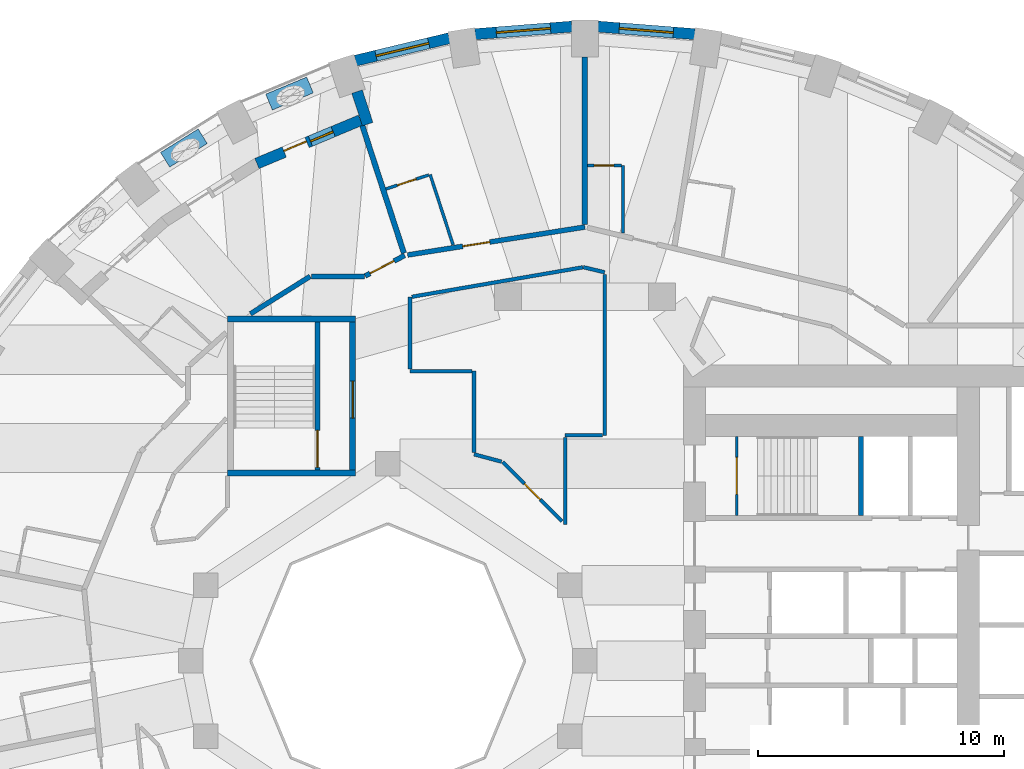
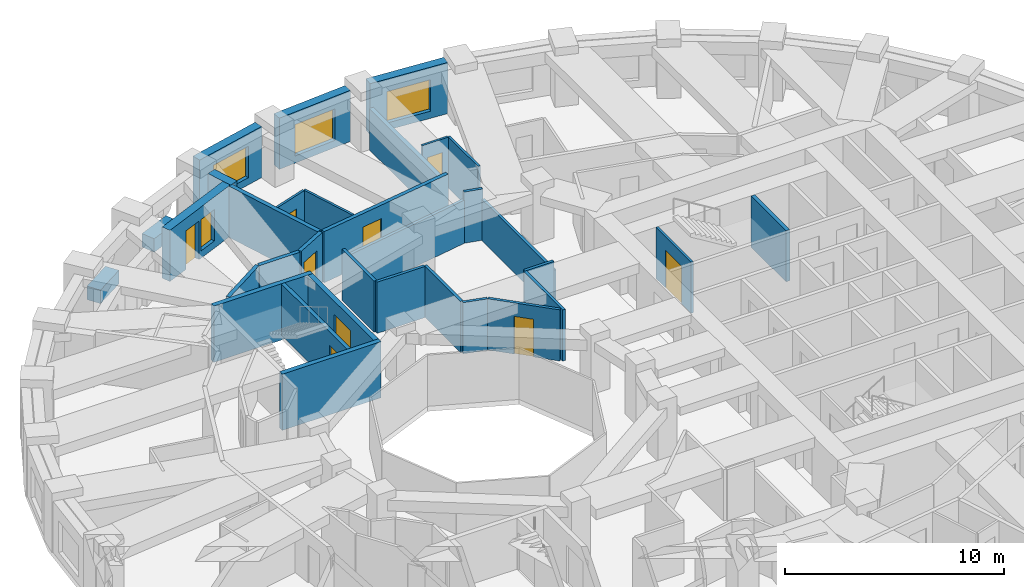
# One storey, part 8 of 13: 33 walls, 9 doors, 4 windows, 13 openings.
"""IFC4 building model written with IfcOpenShell, lengths in metres."""

import ifcopenshell
import ifcopenshell.guid

model = None  # the IFC model being written
_history = None  # IfcOwnerHistory: only IFC2X3 demands one
_inside = {}  # id of a spatial element -> (the spatial element, [elements in it])
_under = {}  # id of a project, library or spatial element -> (it, [spatial elements below it])
_declared = {}  # id of a project -> (the project, [libraries it declares])
_typed = {}  # id of a type object -> (the type object, [elements of that type])
_made_of = {}  # id of a material, layer set ... -> (it, [elements and type objects made of it])


def new_model(schema):
    """Start an empty IFC model of exactly this schema.

    Asked for "IFC4X3", IfcOpenShell would pick the latest addendum, in which some entities
    have other attributes; the version numbers below select the first issue.
    IFC2X3 requires an IfcOwnerHistory on every rooted entity: one is made here for all.
    """
    global model, _history
    if schema == "IFC4X3":
        model = ifcopenshell.file(schema_version=(4, 3, 0, 0))
    else:
        model = ifcopenshell.file(schema=schema)
    _inside.clear()
    _under.clear()
    _declared.clear()
    _typed.clear()
    _made_of.clear()
    _history = None
    if model.schema == "IFC2X3":
        org = make("IfcOrganization", Name="unknown")
        user = make(
            "IfcPersonAndOrganization",
            ThePerson=make("IfcPerson", FamilyName="unknown"),
            TheOrganization=org,
        )
        app = make(
            "IfcApplication",
            ApplicationDeveloper=org,
            Version="unknown",
            ApplicationFullName="unknown",
            ApplicationIdentifier="unknown",
        )
        _history = make(
            "IfcOwnerHistory",
            OwningUser=user,
            OwningApplication=app,
            ChangeAction="ADDED",
            CreationDate=0,
        )
    return model


def make(cls, **values):
    """One entity of the class cls with the attributes given. An attribute that is None is left unset."""
    return model.create_entity(
        cls, **{name: value for name, value in values.items() if value is not None}
    )


def rooted(cls, **values):
    """An entity with a GlobalId (a new one), such as an element, a storey or a relation."""
    return make(cls, GlobalId=ifcopenshell.guid.new(), OwnerHistory=_history, **values)


def si_unit(unit_type, name, prefix=None):
    """IfcSIUnit, for example si_unit("LENGTHUNIT", "METRE", prefix="MILLI")."""
    return make("IfcSIUnit", UnitType=unit_type, Prefix=prefix, Name=name)


def assignment(units):
    """IfcUnitAssignment: the units of a project."""
    return None if units is None else make("IfcUnitAssignment", Units=units)


def point(xyz):
    """IfcCartesianPoint."""
    return None if xyz is None else make("IfcCartesianPoint", Coordinates=xyz)


def direction(xyz):
    """IfcDirection."""
    return None if xyz is None else make("IfcDirection", DirectionRatios=xyz)


def frame(location, z_axis=None, x_axis=None):
    """IfcAxis2Placement3D, a coordinate frame: its origin and axes. An axis left out is left unset."""
    return make(
        "IfcAxis2Placement3D",
        Location=point(location),
        Axis=direction(z_axis),
        RefDirection=direction(x_axis),
    )


def frame_2d(location, x_axis=None):
    """IfcAxis2Placement2D, a coordinate frame in the plane: its origin and x axis."""
    return make(
        "IfcAxis2Placement2D", Location=point(location), RefDirection=direction(x_axis)
    )


def origin():
    """The frame at (0, 0, 0) with its axes left unset."""
    return frame((0.0, 0.0, 0.0))


def place(relative_to, where):
    """IfcLocalPlacement: puts the frame where relative to a parent placement (None: the world)."""
    return make(
        "IfcLocalPlacement", PlacementRelTo=relative_to, RelativePlacement=where
    )


def context(
    kind, dimensions, precision=None, world=None, true_north=None, identifier=None
):
    """IfcGeometricRepresentationContext, for example the 3D "Model" context."""
    return make(
        "IfcGeometricRepresentationContext",
        ContextIdentifier=identifier,
        ContextType=kind,
        CoordinateSpaceDimension=dimensions,
        Precision=precision,
        WorldCoordinateSystem=world,
        TrueNorth=true_north,
    )


def subcontext(parent, identifier, kind, view, scale=None):
    """IfcGeometricRepresentationSubContext, for example "Body" below "Model"."""
    return make(
        "IfcGeometricRepresentationSubContext",
        ContextIdentifier=identifier,
        ContextType=kind,
        ParentContext=parent,
        TargetScale=scale,
        TargetView=view,
    )


def project(units=None, contexts=None):
    """IfcProject with its units and contexts."""
    return rooted(
        "IfcProject",
        Name="project",
        RepresentationContexts=contexts,
        UnitsInContext=assignment(units),
    )


def spatial(cls, under=None, at=None, **own):
    """A site, building, storey or space (cls), placed at a placement, below another one or the project."""
    s = rooted(cls, ObjectPlacement=at, **own)
    if under is not None:
        _under.setdefault(under.id(), (under, []))[1].append(s)
    return s


def profile(cls, at=None, kind="AREA", **sizes):
    """A parametric profile (cls). Its sizes go by their IFC names, for example OverallWidth=200.0."""
    return make(cls, ProfileType=kind, Position=at, **sizes)


def rectangle(**sizes):
    """IfcRectangleProfileDef."""
    return profile("IfcRectangleProfileDef", **sizes)


def extrude(swept, where, along, depth):
    """IfcExtrudedAreaSolid: the profile swept, set in the frame where, extruded along a direction by depth."""
    return make(
        "IfcExtrudedAreaSolid",
        SweptArea=swept,
        Position=where,
        ExtrudedDirection=direction(along),
        Depth=depth,
    )


def shape(context_of_items, identifier, shape_type, items):
    """IfcShapeRepresentation: the items that make up one representation, for example the "Body"."""
    return make(
        "IfcShapeRepresentation",
        ContextOfItems=context_of_items,
        RepresentationIdentifier=identifier,
        RepresentationType=shape_type,
        Items=items,
    )


def material(Name=None, Category=None):
    """IfcMaterial."""
    return make("IfcMaterial", Name=Name, Category=Category)


def layer(
    of_material, thickness, ventilated=None, Name=None, Category=None, Priority=None
):
    """IfcMaterialLayer: one layer of a wall or slab, of a material (None: an air gap)."""
    return make(
        "IfcMaterialLayer",
        Material=of_material,
        LayerThickness=thickness,
        IsVentilated=ventilated,
        Name=Name,
        Category=Category,
        Priority=Priority,
    )


def layer_set(layers, Name=None):
    """IfcMaterialLayerSet."""
    return make("IfcMaterialLayerSet", MaterialLayers=layers, LayerSetName=Name)


def constituent(of_material, Name=None, Category=None, fraction=None):
    """IfcMaterialConstituent: one of the materials an element consists of."""
    return make(
        "IfcMaterialConstituent",
        Name=Name,
        Material=of_material,
        Fraction=fraction,
        Category=Category,
    )


def constituent_set(constituents=None, Name=None):
    """IfcMaterialConstituentSet."""
    return make(
        "IfcMaterialConstituentSet", Name=Name, MaterialConstituents=constituents
    )


def made_of(thing, what):
    """Note that an element or type object is made of a material, layer set ...; save() writes the relation."""
    if what is not None:
        _made_of.setdefault(what.id(), (what, []))[1].append(thing)
    return thing


def type_object(cls, material=None, **own):
    """A type object (cls), such as IfcWallType, which elements share."""
    return made_of(rooted(cls, **own), material)


def element(
    cls,
    number,
    at=None,
    inside=None,
    cuts=None,
    type_object=None,
    material=None,
    context=None,
    identifier="Body",
    shape_type=None,
    held_by="IfcProductDefinitionShape",
    body=None,
    shapes=None,
    **own,
):
    """One element of the class cls, such as IfcWall. Its Tag is "e" and its number.

    at: its placement. inside: the storey or other place that contains it. cuts: it is an
    opening in that element (IfcRelVoidsElement). A single representation is given by context,
    identifier, shape_type and body (its items); several are given by shapes. held_by: the class
    of the entity that holds the representations. save() writes the other relations.
    """
    e = rooted(cls, Tag="e%d" % number, ObjectPlacement=at, **own)
    if body is not None:
        shapes = [shape(context, identifier, shape_type, body)]
    if shapes is not None:
        e.Representation = make(held_by, Representations=shapes)
    if inside is not None:
        _inside.setdefault(inside.id(), (inside, []))[1].append(e)
    if cuts is not None:
        rooted(
            "IfcRelVoidsElement", RelatingBuildingElement=cuts, RelatedOpeningElement=e
        )
    if type_object is not None:
        _typed.setdefault(type_object.id(), (type_object, []))[1].append(e)
    return made_of(e, material)


def fill(opening, filler):
    """IfcRelFillsElement: the door or window that sits in an opening."""
    return rooted(
        "IfcRelFillsElement",
        RelatingOpeningElement=opening,
        RelatedBuildingElement=filler,
    )


def aggregate(whole, parts):
    """IfcRelAggregates: a whole, such as a stair, and the parts it consists of."""
    return rooted("IfcRelAggregates", RelatingObject=whole, RelatedObjects=parts)


def save(model, path):
    """Write the relations noted so far, then the file.

    IfcRelAggregates (storeys below a building ...), IfcRelContainedInSpatialStructure (elements
    in a storey), IfcRelDefinesByType, IfcRelAssociatesMaterial and IfcRelDeclares: one each for
    every whole, place, type object, material and project.
    """
    for whole, parts in _under.values():
        aggregate(whole, parts)
    for where, things in _inside.values():
        rooted(
            "IfcRelContainedInSpatialStructure",
            RelatedElements=things,
            RelatingStructure=where,
        )
    for kind, things in _typed.values():
        rooted("IfcRelDefinesByType", RelatedObjects=things, RelatingType=kind)
    for what, things in _made_of.values():
        rooted("IfcRelAssociatesMaterial", RelatedObjects=things, RelatingMaterial=what)
    for by, libraries in _declared.values():
        rooted("IfcRelDeclares", RelatingContext=by, RelatedDefinitions=libraries)
    model.write(path)


model = new_model("IFC4")

# Units and contexts
model_context = context("Model", 3, precision=1e-05, world=origin(), true_north=direction((0.0, 1.0)))
body_context = subcontext(model_context, "Body", "Model", "MODEL_VIEW")
ifc_project = project(units=[si_unit("LENGTHUNIT", "METRE"), si_unit("AREAUNIT", "SQUARE_METRE"), si_unit("VOLUMEUNIT", "CUBIC_METRE"), si_unit("PLANEANGLEUNIT", "RADIAN"), si_unit("MASSUNIT", "GRAM", prefix="KILO")], contexts=[model_context])

# Site, building, storey
site_placement = place(None, origin())
site = spatial("IfcSite", under=ifc_project, at=site_placement, CompositionType="ELEMENT")
building_placement = place(site_placement, origin())
building = spatial("IfcBuilding", under=site, at=building_placement, Name="Taillehof Tower", CompositionType="ELEMENT")
storey_placement = place(building_placement, frame((0.0, 0.0, 81.10009765625)))
storey = spatial("IfcBuildingStorey", under=building, at=storey_placement, Name="L22", CompositionType="ELEMENT", Elevation=81.10009765625)

# Wall, opening, window
ifc_material_1 = material(Name="Brick masonry", Category="masonry")
ifc_layer_1 = layer(ifc_material_1, 0.449951171875)
ifc_layer_set_1 = layer_set([ifc_layer_1], Name="Brick infill wall 450")
wall_type_1 = type_object("IfcWallType", Name="Brick infill wall 450", PredefinedType="SOLIDWALL", material=ifc_layer_set_1)
wall_1_placement = place(storey_placement, frame((4.457275390625, 25.42578125, 0.0), z_axis=(0.0, 0.0, 1.0), x_axis=(-0.996955972145, 0.077966592873, 0.0)))
wall_1 = element("IfcWall", 1, at=wall_1_placement, inside=storey, type_object=wall_type_1, Name="Brick wall L22 bay 9", PredefinedType="SOLIDWALL", context=body_context, shape_type="SweptSolid", body=[
    extrude(rectangle(XDim=3.939208984375, YDim=0.449951171875, at=frame_2d((1.9697265625, 0.0))), origin(), (0.0, 0.0, 1.0), 2.849853515625),
])
opening_1_placement = place(wall_1_placement, frame((0.86962890625, 0.0, 0.39990234375)))
opening_1 = element("IfcOpeningElement", 2, at=opening_1_placement, cuts=wall_1, Name="Opening W1", PredefinedType="OPENING", context=body_context, shape_type="SweptSolid", body=[
    extrude(rectangle(XDim=2.199951171875, YDim=1.75, at=frame_2d((1.10009765625, 0.875))), frame((0.0, 0.23486328125, 0.0), z_axis=(0.0, -1.0, 0.0), x_axis=(1.0, 0.0, 0.0)), (0.0, 0.0, 1.0), 0.469970703125),
])
ifc_material_2 = material(Name="Aluminium window frame with clear double glazing", Category="aluminium")
window_type_1 = type_object("IfcWindowType", Name="Deep-set window 2200x1750", PartitioningType="SINGLE_PANEL", PredefinedType="WINDOW", material=ifc_material_2)
window_1_placement = place(opening_1_placement, origin())
window_1 = element("IfcWindow", 3, at=window_1_placement, inside=storey, type_object=window_type_1, Name="W1", OverallHeight=1.75, OverallWidth=2.199951171875, PartitioningType="SINGLE_PANEL", PredefinedType="WINDOW", context=body_context, shape_type="SweptSolid", body=[
    extrude(rectangle(XDim=2.199951171875, YDim=1.75, at=frame_2d((1.10009765625, 0.875))), frame((0.0, 0.034912109375, 0.0), z_axis=(0.0, -1.0, 0.0), x_axis=(1.0, 0.0, 0.0)), (0.0, 0.0, 1.0), 0.06005859375),
])
fill(opening_1, window_1)

wall_2_placement = place(storey_placement, frame((-0.530029296875, 25.73291015625, 0.0), z_axis=(0.0, 0.0, 1.0), x_axis=(-0.996955972145, -0.077966592873, 0.0)))
wall_2 = element("IfcWall", 4, at=wall_2_placement, inside=storey, type_object=wall_type_1, Name="Brick wall L22 bay 10", PredefinedType="SOLIDWALL", context=body_context, shape_type="SweptSolid", body=[
    extrude(rectangle(XDim=3.939208984375, YDim=0.449951171875, at=frame_2d((1.9697265625, 0.0))), origin(), (0.0, 0.0, 1.0), 2.849853515625),
])
opening_2_placement = place(wall_2_placement, frame((0.86962890625, 0.0, 0.39990234375)))
opening_2 = element("IfcOpeningElement", 5, at=opening_2_placement, cuts=wall_2, Name="Opening W1", PredefinedType="OPENING", context=body_context, shape_type="SweptSolid", body=[
    extrude(rectangle(XDim=2.199951171875, YDim=1.75, at=frame_2d((1.10009765625, 0.875))), frame((0.0, 0.23486328125, 0.0), z_axis=(0.0, -1.0, 0.0), x_axis=(1.0, 0.0, 0.0)), (0.0, 0.0, 1.0), 0.469970703125),
])
window_2_placement = place(opening_2_placement, origin())
window_2 = element("IfcWindow", 6, at=window_2_placement, inside=storey, type_object=window_type_1, Name="W1", OverallHeight=1.75, OverallWidth=2.199951171875, PartitioningType="SINGLE_PANEL", PredefinedType="WINDOW", context=body_context, shape_type="SweptSolid", body=[
    extrude(rectangle(XDim=2.199951171875, YDim=1.75, at=frame_2d((1.10009765625, 0.875))), frame((0.0, 0.034912109375, 0.0), z_axis=(0.0, -1.0, 0.0), x_axis=(1.0, 0.0, 0.0)), (0.0, 0.0, 1.0), 0.06005859375),
])
fill(opening_2, window_2)

wall_3_placement = place(storey_placement, frame((-5.50439453125, 25.260498046875, 0.0), z_axis=(0.0, 0.0, 1.0), x_axis=(-0.972496561493, -0.232917233979, 0.0)))
wall_3 = element("IfcWall", 7, at=wall_3_placement, inside=storey, type_object=wall_type_1, Name="Brick wall L22 bay 11", PredefinedType="SOLIDWALL", context=body_context, shape_type="SweptSolid", body=[
    extrude(rectangle(XDim=3.910888671875, YDim=0.449951171875, at=frame_2d((1.95556640625, 0.0))), origin(), (0.0, 0.0, 1.0), 2.849853515625),
])
opening_3_placement = place(wall_3_placement, frame((0.855224609375, 0.0, 0.39990234375)))
opening_3 = element("IfcOpeningElement", 8, at=opening_3_placement, cuts=wall_3, Name="Opening W1", PredefinedType="OPENING", context=body_context, shape_type="SweptSolid", body=[
    extrude(rectangle(XDim=2.199951171875, YDim=1.75, at=frame_2d((1.10009765625, 0.875))), frame((0.0, 0.23486328125, 0.0), z_axis=(0.0, -1.0, 0.0), x_axis=(1.0, 0.0, 0.0)), (0.0, 0.0, 1.0), 0.469970703125),
])
window_3_placement = place(opening_3_placement, origin())
window_3 = element("IfcWindow", 9, at=window_3_placement, inside=storey, type_object=window_type_1, Name="W1", OverallHeight=1.75, OverallWidth=2.199951171875, PartitioningType="SINGLE_PANEL", PredefinedType="WINDOW", context=body_context, shape_type="SweptSolid", body=[
    extrude(rectangle(XDim=2.199951171875, YDim=1.75, at=frame_2d((1.10009765625, 0.875))), frame((0.0, 0.034912109375, 0.0), z_axis=(0.0, -1.0, 0.0), x_axis=(1.0, 0.0, 0.0)), (0.0, 0.0, 1.0), 0.06005859375),
])
fill(opening_3, window_3)

# Wall
wall_4_placement = place(storey_placement, frame((-9.24560546875, 23.09521484375, 0.0), z_axis=(0.0, 0.0, 1.0), x_axis=(0.310110311429, -0.950700581017, 0.0)))
element("IfcWall", 10, at=wall_4_placement, inside=storey, type_object=wall_type_1, Name="Brick reveal L22 pocket 3", PredefinedType="SOLIDWALL", context=body_context, shape_type="SweptSolid", body=[
    extrude(rectangle(XDim=1.390380859375, YDim=0.449951171875, at=frame_2d((0.6953125, 0.0))), origin(), (0.0, 0.0, 1.0), 2.849853515625),
])

# Wall, openings, door, window
wall_5_placement = place(storey_placement, frame((-9.10400390625, 21.935791015625, 0.0), z_axis=(0.0, 0.0, 1.0), x_axis=(-0.922645368502, -0.385649483317, 0.0)))
wall_5 = element("IfcWall", 11, at=wall_5_placement, inside=storey, type_object=wall_type_1, Name="Brick wall L22 pocket bay 12", PredefinedType="SOLIDWALL", context=body_context, shape_type="SweptSolid", body=[
    extrude(rectangle(XDim=4.55859375, YDim=0.449951171875, at=frame_2d((2.279296875, 0.0))), origin(), (0.0, 0.0, 1.0), 2.849853515625),
])
opening_4_placement = place(wall_5_placement, frame((1.204345703125, 0.0, 0.39990234375)))
opening_4 = element("IfcOpeningElement", 12, at=opening_4_placement, cuts=wall_5, Name="Opening W5", PredefinedType="OPENING", context=body_context, shape_type="SweptSolid", body=[
    extrude(rectangle(XDim=1.0, YDim=1.75, at=frame_2d((0.5, 0.875))), frame((0.0, 0.23486328125, 0.0), z_axis=(0.0, -1.0, 0.0), x_axis=(1.0, 0.0, 0.0)), (0.0, 0.0, 1.0), 0.469970703125),
])
opening_5_placement = place(wall_5_placement, frame((2.354248046875, 0.0, 0.0)))
opening_5 = element("IfcOpeningElement", 13, at=opening_5_placement, cuts=wall_5, Name="Opening D2291", PredefinedType="OPENING", context=body_context, shape_type="SweptSolid", body=[
    extrude(rectangle(XDim=1.0, YDim=2.14990234375, at=frame_2d((0.5, 1.074951171875))), frame((0.0, 0.23486328125, 0.0), z_axis=(0.0, -1.0, 0.0), x_axis=(1.0, 0.0, 0.0)), (0.0, 0.0, 1.0), 0.469970703125),
])
ifc_material_3 = material(Name="Aluminium door frame with clear double glazing", Category="aluminium")
door_type_1 = type_object("IfcDoorType", Name="Balcony door 1000x2150", OperationType="SINGLE_SWING_RIGHT", PredefinedType="DOOR", material=ifc_material_3)
door_1_placement = place(opening_5_placement, frame((1.0, 0.0, 0.0), z_axis=(0.0, 0.0, 1.0), x_axis=(-1.0, 0.0, 0.0)))
door_1 = element("IfcDoor", 14, at=door_1_placement, inside=storey, type_object=door_type_1, Name="Balcony door L22 bay 12", OperationType="SINGLE_SWING_RIGHT", OverallHeight=2.14990234375, OverallWidth=1.0, PredefinedType="DOOR", context=body_context, shape_type="SweptSolid", body=[
    extrude(rectangle(XDim=1.0, YDim=2.14990234375, at=frame_2d((0.5, 1.074951171875))), frame((0.0, 0.0751953125, 0.0), z_axis=(0.0, -1.0, 0.0), x_axis=(1.0, 0.0, 0.0)), (0.0, 0.0, 1.0), 0.050048828125),
])
fill(opening_5, door_1)
ifc_material_4 = material(Name="Aluminium window frame with clear double glazing", Category="aluminium")
window_type_2 = type_object("IfcWindowType", Name="Fixed window 1000x1750", PartitioningType="SINGLE_PANEL", PredefinedType="WINDOW", material=ifc_material_4)
window_4_placement = place(opening_4_placement, origin())
window_4 = element("IfcWindow", 15, at=window_4_placement, inside=storey, type_object=window_type_2, Name="W5", OverallHeight=1.75, OverallWidth=1.0, PartitioningType="SINGLE_PANEL", PredefinedType="WINDOW", context=body_context, shape_type="SweptSolid", body=[
    extrude(rectangle(XDim=1.0, YDim=1.75, at=frame_2d((0.5, 0.875))), frame((0.0, 0.034912109375, 0.0), z_axis=(0.0, -1.0, 0.0), x_axis=(1.0, 0.0, 0.0)), (0.0, 0.0, 1.0), 0.06005859375),
])
fill(opening_4, window_4)

# Walls
ifc_material_5 = material(Name="Gypsum board on steel studs, two layers each side", Category="steel")
ifc_layer_2 = layer(ifc_material_5, 0.199951171875)
ifc_layer_set_2 = layer_set([ifc_layer_2], Name="Compartment wall corridor 200")
wall_type_2 = type_object("IfcWallType", Name="Compartment wall corridor 200", PredefinedType="PARTITIONING", material=ifc_layer_set_2)
wall_6_placement = place(storey_placement, frame((-13.57080078125, 14.077392578125, 0.0), z_axis=(0.0, 0.0, 1.0), x_axis=(0.84693819774, 0.53169134769, 0.0)))
element("IfcWall", 16, at=wall_6_placement, inside=storey, type_object=wall_type_2, Name="Compartment wall", PredefinedType="PARTITIONING", context=body_context, shape_type="SweptSolid", body=[
    extrude(rectangle(XDim=2.86376953125, YDim=0.199951171875, at=frame_2d((1.431884765625, 0.0))), origin(), (0.0, 0.0, 1.0), 2.849853515625),
])
wall_7_placement = place(storey_placement, frame((-11.085205078125, 15.60009765625, 0.0), z_axis=(0.0, 0.0, 1.0), x_axis=(1.0, 0.0, 0.0)))
element("IfcWall", 17, at=wall_7_placement, inside=storey, type_object=wall_type_2, Name="Compartment wall", PredefinedType="PARTITIONING", context=body_context, shape_type="SweptSolid", body=[
    extrude(rectangle(XDim=2.13330078125, YDim=0.199951171875, at=frame_2d((1.066650390625, 0.0))), origin(), (0.0, 0.0, 1.0), 2.849853515625),
])

# Wall, opening, door
wall_8_placement = place(storey_placement, frame((-8.916259765625, 15.61865234375, 0.0), z_axis=(0.0, 0.0, 1.0), x_axis=(0.88856195521, 0.458756636741, 0.0)))
wall_8 = element("IfcWall", 18, at=wall_8_placement, inside=storey, type_object=wall_type_2, Name="Compartment wall", PredefinedType="PARTITIONING", context=body_context, shape_type="SweptSolid", body=[
    extrude(rectangle(XDim=1.8046875, YDim=0.199951171875, at=frame_2d((0.90234375, 0.0))), origin(), (0.0, 0.0, 1.0), 2.849853515625),
])
opening_6_placement = place(wall_8_placement, frame((0.219970703125, 0.0, 0.0)))
opening_6 = element("IfcOpeningElement", 19, at=opening_6_placement, cuts=wall_8, Name="Opening D2246", PredefinedType="OPENING", context=body_context, shape_type="SweptSolid", body=[
    extrude(rectangle(XDim=1.10009765625, YDim=2.10009765625, at=frame_2d((0.550048828125, 1.050048828125))), frame((0.0, 0.10986328125, 0.0), z_axis=(0.0, -1.0, 0.0), x_axis=(1.0, 0.0, 0.0)), (0.0, 0.0, 1.0), 0.219970703125),
])
ifc_material_6 = material(Name="Timber door leaf in steel frame", Category="steel")
door_type_2 = type_object("IfcDoorType", Name="Suite entrance door EI 30 1100 x 2100", OperationType="SINGLE_SWING_LEFT", PredefinedType="DOOR", material=ifc_material_6)
door_2_placement = place(opening_6_placement, origin())
door_2 = element("IfcDoor", 20, at=door_2_placement, inside=storey, type_object=door_type_2, Name="D2246", OperationType="SINGLE_SWING_LEFT", OverallHeight=2.10009765625, OverallWidth=1.10009765625, PredefinedType="DOOR", context=body_context, shape_type="SweptSolid", body=[
    extrude(rectangle(XDim=1.10009765625, YDim=2.10009765625, at=frame_2d((0.550048828125, 1.050048828125))), frame((0.0, 0.02490234375, 0.0), z_axis=(0.0, -1.0, 0.0), x_axis=(1.0, 0.0, 0.0)), (0.0, 0.0, 1.0), 0.050048828125),
])
fill(opening_6, door_2)

wall_9_placement = place(storey_placement, frame((-7.194091796875, 16.465576171875, 0.0), z_axis=(0.0, 0.0, 1.0), x_axis=(0.987792302219, 0.155776659599, 0.0)))
wall_9 = element("IfcWall", 21, at=wall_9_placement, inside=storey, type_object=wall_type_2, Name="Compartment wall", PredefinedType="PARTITIONING", context=body_context, shape_type="SweptSolid", body=[
    extrude(rectangle(XDim=7.282958984375, YDim=0.199951171875, at=frame_2d((3.6416015625, 0.0))), origin(), (0.0, 0.0, 1.0), 2.849853515625),
])
opening_7_placement = place(wall_9_placement, frame((2.26953125, 0.0, 0.0)))
opening_7 = element("IfcOpeningElement", 22, at=opening_7_placement, cuts=wall_9, Name="Opening D2244", PredefinedType="OPENING", context=body_context, shape_type="SweptSolid", body=[
    extrude(rectangle(XDim=1.10009765625, YDim=2.10009765625, at=frame_2d((0.550048828125, 1.050048828125))), frame((0.0, 0.10986328125, 0.0), z_axis=(0.0, -1.0, 0.0), x_axis=(1.0, 0.0, 0.0)), (0.0, 0.0, 1.0), 0.219970703125),
])
door_3_placement = place(opening_7_placement, origin())
door_3 = element("IfcDoor", 23, at=door_3_placement, inside=storey, type_object=door_type_2, Name="D2244", OperationType="SINGLE_SWING_LEFT", OverallHeight=2.10009765625, OverallWidth=1.10009765625, PredefinedType="DOOR", context=body_context, shape_type="SweptSolid", body=[
    extrude(rectangle(XDim=1.10009765625, YDim=2.10009765625, at=frame_2d((0.550048828125, 1.050048828125))), frame((0.0, 0.02490234375, 0.0), z_axis=(0.0, -1.0, 0.0), x_axis=(1.0, 0.0, 0.0)), (0.0, 0.0, 1.0), 0.050048828125),
])
fill(opening_7, door_3)

# Walls
ifc_material_7 = material(Name="Gypsum board on double steel studs with mineral wool", Category="steel")
ifc_layer_3 = layer(ifc_material_7, 0.219970703125)
ifc_layer_set_3 = layer_set([ifc_layer_3], Name="Compartment wall guest room 220")
wall_type_3 = type_object("IfcWallType", Name="Compartment wall guest room 220", PredefinedType="PARTITIONING", material=ifc_layer_set_3)
wall_10_placement = place(storey_placement, frame((0.0, 24.5, 0.0), z_axis=(0.0, 0.0, 1.0), x_axis=(0.0, -1.0, 0.0)))
element("IfcWall", 24, at=wall_10_placement, inside=storey, type_object=wall_type_3, Name="Compartment wall", PredefinedType="PARTITIONING", context=body_context, shape_type="SweptSolid", body=[
    extrude(rectangle(XDim=6.7998046875, YDim=0.219970703125, at=frame_2d((3.39990234375, 0.0))), origin(), (0.0, 0.0, 1.0), 2.2998046875),
])
wall_11_placement = place(storey_placement, frame((-9.033935546875, 21.72119140625, 0.0), z_axis=(0.0, 0.0, 1.0), x_axis=(0.310306747299, -0.950636482879, 0.0)))
element("IfcWall", 25, at=wall_11_placement, inside=storey, type_object=wall_type_3, Name="Compartment wall", PredefinedType="PARTITIONING", context=body_context, shape_type="SweptSolid", body=[
    extrude(rectangle(XDim=5.448486328125, YDim=0.219970703125, at=frame_2d((2.72412109375, 0.0))), origin(), (0.0, 0.0, 1.0), 2.849853515625),
])
ifc_material_8 = material(Name="Gypsum board on steel studs, two layers each side", Category="steel")
ifc_layer_4 = layer(ifc_material_8, 0.14990234375)
ifc_layer_set_4 = layer_set([ifc_layer_4], Name="Compartment wall service room 150")
wall_type_4 = type_object("IfcWallType", Name="Compartment wall service room 150", PredefinedType="PARTITIONING", material=ifc_layer_set_4)
wall_12_placement = place(storey_placement, frame((-0.063720703125, 15.97021484375, 0.0), z_axis=(0.0, 0.0, 1.0), x_axis=(0.97258159508, -0.232561907699, 0.0)))
element("IfcWall", 26, at=wall_12_placement, inside=storey, type_object=wall_type_4, Name="Compartment wall", PredefinedType="PARTITIONING", context=body_context, shape_type="SweptSolid", body=[
    extrude(rectangle(XDim=0.88818359375, YDim=0.14990234375, at=frame_2d((0.444091796875, 0.0))), origin(), (0.0, 0.0, 1.0), 2.849853515625),
])
wall_13_placement = place(storey_placement, frame((0.800048828125, 15.68359375, 0.0), z_axis=(0.0, 0.0, 1.0), x_axis=(0.0, -1.0, 0.0)))
element("IfcWall", 27, at=wall_13_placement, inside=storey, type_object=wall_type_4, Name="Compartment wall", PredefinedType="PARTITIONING", context=body_context, shape_type="SweptSolid", body=[
    extrude(rectangle(XDim=6.53369140625, YDim=0.14990234375, at=frame_2d((3.266845703125, 0.0))), origin(), (0.0, 0.0, 1.0), 2.2998046875),
])
wall_14_placement = place(storey_placement, frame((0.719970703125, 9.14990234375, 0.0), z_axis=(0.0, 0.0, 1.0), x_axis=(-1.0, 0.0, 0.0)))
element("IfcWall", 28, at=wall_14_placement, inside=storey, type_object=wall_type_4, Name="Compartment wall", PredefinedType="PARTITIONING", context=body_context, shape_type="SweptSolid", body=[
    extrude(rectangle(XDim=1.52001953125, YDim=0.14990234375, at=frame_2d((0.760009765625, 0.0))), origin(), (0.0, 0.0, 1.0), 2.849853515625),
])
wall_15_placement = place(storey_placement, frame((-0.800048828125, 9.06982421875, 0.0), z_axis=(0.0, 0.0, 1.0), x_axis=(0.0, -1.0, 0.0)))
element("IfcWall", 29, at=wall_15_placement, inside=storey, type_object=wall_type_4, Name="Compartment wall", PredefinedType="PARTITIONING", context=body_context, shape_type="SweptSolid", body=[
    extrude(rectangle(XDim=3.5419921875, YDim=0.14990234375, at=frame_2d((1.77099609375, 0.0))), origin(), (0.0, 0.0, 1.0), 2.849853515625),
])

# Wall, opening, door
wall_16_placement = place(storey_placement, frame((-0.927490234375, 5.6552734375, 0.0), z_axis=(0.0, 0.0, 1.0), x_axis=(-0.707106781187, 0.707106781187, 0.0)))
wall_16 = element("IfcWall", 30, at=wall_16_placement, inside=storey, type_object=wall_type_4, Name="Compartment wall", PredefinedType="PARTITIONING", context=body_context, shape_type="SweptSolid", body=[
    extrude(rectangle(XDim=3.41357421875, YDim=0.14990234375, at=frame_2d((1.706787109375, 0.0))), origin(), (0.0, 0.0, 1.0), 2.849853515625),
])
opening_8_placement = place(wall_16_placement, frame((1.2568359375, 0.0, 0.0)))
opening_8 = element("IfcOpeningElement", 31, at=opening_8_placement, cuts=wall_16, Name="Opening D2268", PredefinedType="OPENING", context=body_context, shape_type="SweptSolid", body=[
    extrude(rectangle(XDim=0.89990234375, YDim=2.10009765625, at=frame_2d((0.449951171875, 1.050048828125))), frame((0.0, 0.0849609375, 0.0), z_axis=(0.0, -1.0, 0.0), x_axis=(1.0, 0.0, 0.0)), (0.0, 0.0, 1.0), 0.169921875),
])
ifc_material_9 = material(Name="Timber door leaf in steel frame", Category="steel")
door_type_3 = type_object("IfcDoorType", Name="Service room door EI 30 900 x 2100", OperationType="SINGLE_SWING_LEFT", PredefinedType="DOOR", material=ifc_material_9)
door_4_placement = place(opening_8_placement, origin())
door_4 = element("IfcDoor", 32, at=door_4_placement, inside=storey, type_object=door_type_3, Name="D2268", OperationType="SINGLE_SWING_RIGHT", OverallHeight=2.10009765625, OverallWidth=0.89990234375, PredefinedType="DOOR", context=body_context, shape_type="SweptSolid", body=[
    extrude(rectangle(XDim=0.89990234375, YDim=2.10009765625, at=frame_2d((0.449951171875, 1.050048828125))), frame((0.0, 0.02490234375, 0.0), z_axis=(0.0, -1.0, 0.0), x_axis=(1.0, 0.0, 0.0)), (0.0, 0.0, 1.0), 0.050048828125),
])
fill(opening_8, door_4)

# Walls
wall_17_placement = place(storey_placement, frame((-3.3798828125, 8.079345703125, 0.0), z_axis=(0.0, 0.0, 1.0), x_axis=(-0.965891654556, 0.258946542089, 0.0)))
element("IfcWall", 33, at=wall_17_placement, inside=storey, type_object=wall_type_4, Name="Compartment wall", PredefinedType="PARTITIONING", context=body_context, shape_type="SweptSolid", body=[
    extrude(rectangle(XDim=1.15966796875, YDim=0.14990234375, at=frame_2d((0.579833984375, 0.0))), origin(), (0.0, 0.0, 1.0), 2.849853515625),
])
wall_18_placement = place(storey_placement, frame((-4.5, 8.459716796875, 0.0), z_axis=(0.0, 0.0, 1.0), x_axis=(0.0, 1.0, 0.0)))
element("IfcWall", 34, at=wall_18_placement, inside=storey, type_object=wall_type_4, Name="Compartment wall", PredefinedType="PARTITIONING", context=body_context, shape_type="SweptSolid", body=[
    extrude(rectangle(XDim=3.290283203125, YDim=0.14990234375, at=frame_2d((1.64501953125, 0.0))), origin(), (0.0, 0.0, 1.0), 2.849853515625),
])
wall_19_placement = place(storey_placement, frame((-4.580078125, 11.75, 0.0), z_axis=(0.0, 0.0, 1.0), x_axis=(-1.0, 0.0, 0.0)))
element("IfcWall", 35, at=wall_19_placement, inside=storey, type_object=wall_type_4, Name="Compartment wall", PredefinedType="PARTITIONING", context=body_context, shape_type="SweptSolid", body=[
    extrude(rectangle(XDim=2.52001953125, YDim=0.14990234375, at=frame_2d((1.260009765625, 0.0))), origin(), (0.0, 0.0, 1.0), 2.849853515625),
])
wall_20_placement = place(storey_placement, frame((-7.10009765625, 11.830078125, 0.0), z_axis=(0.0, 0.0, 1.0), x_axis=(0.0, 1.0, 0.0)))
element("IfcWall", 36, at=wall_20_placement, inside=storey, type_object=wall_type_4, Name="Compartment wall", PredefinedType="PARTITIONING", context=body_context, shape_type="SweptSolid", body=[
    extrude(rectangle(XDim=2.925537109375, YDim=0.14990234375, at=frame_2d((1.462890625, 0.0))), origin(), (0.0, 0.0, 1.0), 2.849853515625),
])
wall_21_placement = place(storey_placement, frame((-7.02099609375, 14.769287109375, 0.0), z_axis=(0.0, 0.0, 1.0), x_axis=(0.985427060344, 0.170098526569, 0.0)))
element("IfcWall", 37, at=wall_21_placement, inside=storey, type_object=wall_type_4, Name="Compartment wall", PredefinedType="PARTITIONING", context=body_context, shape_type="SweptSolid", body=[
    extrude(rectangle(XDim=7.0400390625, YDim=0.14990234375, at=frame_2d((3.52001953125, 0.0))), origin(), (0.0, 0.0, 1.0), 2.39990234375),
])
ifc_material_10 = material(Name="Gypsum board on steel studs, moisture resistant", Category="steel")
ifc_layer_5 = layer(ifc_material_10, 0.1201171875)
ifc_layer_set_5 = layer_set([ifc_layer_5], Name="En-suite wall 120")
wall_type_5 = type_object("IfcWallType", Name="En-suite wall 120", PredefinedType="PARTITIONING", material=ifc_layer_set_5)
wall_22_placement = place(storey_placement, frame((1.550048828125, 17.352294921875, 0.0), z_axis=(0.0, 0.0, 1.0), x_axis=(0.0, 1.0, 0.0)))
element("IfcWall", 38, at=wall_22_placement, inside=storey, type_object=wall_type_5, Name="En-suite wall", PredefinedType="PARTITIONING", context=body_context, shape_type="SweptSolid", body=[
    extrude(rectangle(XDim=2.747802734375, YDim=0.1201171875, at=frame_2d((1.3740234375, 0.0))), origin(), (0.0, 0.0, 1.0), 2.849853515625),
])
wall_23_placement = place(storey_placement, frame((-5.349609375, 16.87744140625, 0.0), z_axis=(0.0, 0.0, 1.0), x_axis=(-0.310214130591, 0.950666709832, 0.0)))
element("IfcWall", 39, at=wall_23_placement, inside=storey, type_object=wall_type_5, Name="En-suite wall", PredefinedType="PARTITIONING", context=body_context, shape_type="SweptSolid", body=[
    extrude(rectangle(XDim=2.999267578125, YDim=0.1201171875, at=frame_2d((1.49951171875, 0.0))), origin(), (0.0, 0.0, 1.0), 2.849853515625),
])

# Wall, opening, door
wall_24_placement = place(storey_placement, frame((1.489990234375, 20.10009765625, 0.0), z_axis=(0.0, 0.0, 1.0), x_axis=(-1.0, 0.0, 0.0)))
wall_24 = element("IfcWall", 40, at=wall_24_placement, inside=storey, type_object=wall_type_5, Name="En-suite wall", PredefinedType="PARTITIONING", context=body_context, shape_type="SweptSolid", body=[
    extrude(rectangle(XDim=1.3798828125, YDim=0.1201171875, at=frame_2d((0.68994140625, 0.0))), origin(), (0.0, 0.0, 1.0), 2.849853515625),
])
opening_9_placement = place(wall_24_placement, frame((0.31494140625, 0.0, 0.0)))
opening_9 = element("IfcOpeningElement", 41, at=opening_9_placement, cuts=wall_24, Name="Opening D2243", PredefinedType="OPENING", context=body_context, shape_type="SweptSolid", body=[
    extrude(rectangle(XDim=0.800048828125, YDim=2.10009765625, at=frame_2d((0.39990234375, 1.050048828125))), frame((0.0, 0.070068359375, 0.0), z_axis=(0.0, -1.0, 0.0), x_axis=(1.0, 0.0, 0.0)), (0.0, 0.0, 1.0), 0.14013671875),
])
ifc_material_11 = material(Name="Timber door leaf in steel frame", Category="steel")
door_type_4 = type_object("IfcDoorType", Name="En-suite door 800 x 2100", OperationType="SINGLE_SWING_LEFT", PredefinedType="DOOR", material=ifc_material_11)
door_5_placement = place(opening_9_placement, origin())
door_5 = element("IfcDoor", 42, at=door_5_placement, inside=storey, type_object=door_type_4, Name="D2243", OperationType="SINGLE_SWING_LEFT", OverallHeight=2.10009765625, OverallWidth=0.800048828125, PredefinedType="DOOR", context=body_context, shape_type="SweptSolid", body=[
    extrude(rectangle(XDim=0.800048828125, YDim=2.10009765625, at=frame_2d((0.39990234375, 1.050048828125))), frame((0.0, 0.02490234375, 0.0), z_axis=(0.0, -1.0, 0.0), x_axis=(1.0, 0.0, 0.0)), (0.0, 0.0, 1.0), 0.050048828125),
])
fill(opening_9, door_5)

wall_25_placement = place(storey_placement, frame((-6.337158203125, 19.71044921875, 0.0), z_axis=(0.0, 0.0, 1.0), x_axis=(-0.950626343776, -0.310337807105, 0.0)))
wall_25 = element("IfcWall", 43, at=wall_25_placement, inside=storey, type_object=wall_type_5, Name="En-suite wall", PredefinedType="PARTITIONING", context=body_context, shape_type="SweptSolid", body=[
    extrude(rectangle(XDim=1.829833984375, YDim=0.1201171875, at=frame_2d((0.9150390625, 0.0))), origin(), (0.0, 0.0, 1.0), 2.849853515625),
])
opening_10_placement = place(wall_25_placement, frame((0.5400390625, 0.0, 0.0)))
opening_10 = element("IfcOpeningElement", 44, at=opening_10_placement, cuts=wall_25, Name="Opening D2245", PredefinedType="OPENING", context=body_context, shape_type="SweptSolid", body=[
    extrude(rectangle(XDim=0.800048828125, YDim=2.10009765625, at=frame_2d((0.39990234375, 1.050048828125))), frame((0.0, 0.070068359375, 0.0), z_axis=(0.0, -1.0, 0.0), x_axis=(1.0, 0.0, 0.0)), (0.0, 0.0, 1.0), 0.14013671875),
])
door_6_placement = place(opening_10_placement, origin())
door_6 = element("IfcDoor", 45, at=door_6_placement, inside=storey, type_object=door_type_4, Name="D2245", OperationType="SINGLE_SWING_LEFT", OverallHeight=2.10009765625, OverallWidth=0.800048828125, PredefinedType="DOOR", context=body_context, shape_type="SweptSolid", body=[
    extrude(rectangle(XDim=0.800048828125, YDim=2.10009765625, at=frame_2d((0.39990234375, 1.050048828125))), frame((0.0, 0.02490234375, 0.0), z_axis=(0.0, -1.0, 0.0), x_axis=(1.0, 0.0, 0.0)), (0.0, 0.0, 1.0), 0.050048828125),
])
fill(opening_10, door_6)

# Walls
ifc_material_12 = material(Name="Concrete C30/37 precast", Category="concrete")
ifc_constituent_1 = constituent(ifc_material_12, Name="Structure", Category="concrete")
ifc_material_13 = material(Name="Insulated lining")
ifc_constituent_2 = constituent(ifc_material_13, Name="Lining")
ifc_constituent_set = constituent_set(constituents=[ifc_constituent_1, ifc_constituent_2], Name="Planter trough 700x750")
wall_type_6 = type_object("IfcWallType", Name="Planter trough 700x750", PredefinedType="USERDEFINED", material=ifc_constituent_set)
wall_26_placement = place(storey_placement, frame((-11.1552734375, 23.3623046875, 0.0), z_axis=(0.0, 0.0, 1.0), x_axis=(-0.923000660042, -0.384798364811, 0.0)))
element("IfcWall", 46, at=wall_26_placement, inside=storey, type_object=wall_type_6, Name="Planter L22 bay 12", ObjectType="PLANTER", PredefinedType="USERDEFINED", context=body_context, shape_type="SweptSolid", body=[
    extrude(rectangle(XDim=1.800048828125, YDim=0.699951171875, at=frame_2d((0.89990234375, 0.0))), origin(), (0.0, 0.0, 1.0), 0.75),
])
wall_27_placement = place(storey_placement, frame((-15.506103515625, 21.282958984375, 0.0), z_axis=(0.0, 0.0, 1.0), x_axis=(-0.847609446823, -0.530620604252, 0.0)))
element("IfcWall", 47, at=wall_27_placement, inside=storey, type_object=wall_type_6, Name="Planter L22 bay 13", ObjectType="PLANTER", PredefinedType="USERDEFINED", context=body_context, shape_type="SweptSolid", body=[
    extrude(rectangle(XDim=1.7998046875, YDim=0.699951171875, at=frame_2d((0.89990234375, 0.0))), origin(), (0.0, 0.0, 1.0), 0.75),
])
ifc_material_14 = material(Name="Concrete C50/60", Category="concrete")
ifc_layer_6 = layer(ifc_material_14, 0.199951171875)
ifc_layer_set_6 = layer_set([ifc_layer_6], Name="Shaft wall C50/60 200")
wall_type_7 = type_object("IfcWallType", Name="Shaft wall C50/60 200", PredefinedType="SHEAR", material=ifc_layer_set_6)
wall_28_placement = place(storey_placement, frame((11.199951171875, 5.89990234375, 0.0), z_axis=(0.0, 0.0, 1.0), x_axis=(0.0, 1.0, 0.0)))
element("IfcWall", 48, at=wall_28_placement, inside=storey, type_object=wall_type_7, Name="Shaft wall SW", PredefinedType="SHEAR", context=body_context, shape_type="SweptSolid", body=[
    extrude(rectangle(XDim=3.2001953125, YDim=0.199951171875, at=frame_2d((1.60009765625, 0.0))), origin(), (0.0, 0.0, 1.0), 2.849853515625),
])

# Wall, opening, door
wall_29_placement = place(storey_placement, frame((-10.85009765625, 7.75, 0.0), z_axis=(0.0, 0.0, 1.0), x_axis=(0.0, 1.0, 0.0)))
wall_29 = element("IfcWall", 49, at=wall_29_placement, inside=storey, type_object=wall_type_7, Name="Shaft wall SW", PredefinedType="SHEAR", context=body_context, shape_type="SweptSolid", body=[
    extrude(rectangle(XDim=6.0, YDim=0.199951171875, at=frame_2d((3.0, 0.0))), origin(), (0.0, 0.0, 1.0), 2.849853515625),
])
opening_11_placement = place(wall_29_placement, frame((0.10009765625, 0.0, 0.0)))
opening_11 = element("IfcOpeningElement", 50, at=opening_11_placement, cuts=wall_29, Name="Opening D2212", PredefinedType="OPENING", context=body_context, shape_type="SweptSolid", body=[
    extrude(rectangle(XDim=1.5, YDim=2.10009765625, at=frame_2d((0.75, 1.050048828125))), frame((0.0, 0.10986328125, 0.0), z_axis=(0.0, -1.0, 0.0), x_axis=(1.0, 0.0, 0.0)), (0.0, 0.0, 1.0), 0.219970703125),
])
ifc_material_15 = material(Name="Steel-faced fire door", Category="steel")
door_type_5 = type_object("IfcDoorType", Name="Stair door 1500x2100", OperationType="DOUBLE_DOOR_SINGLE_SWING", PredefinedType="DOOR", material=ifc_material_15)
door_7_placement = place(opening_11_placement, origin())
door_7 = element("IfcDoor", 51, at=door_7_placement, inside=storey, type_object=door_type_5, Name="Stair lobby door S3", OperationType="DOUBLE_DOOR_SINGLE_SWING", OverallHeight=2.10009765625, OverallWidth=1.5, PredefinedType="DOOR", context=body_context, shape_type="SweptSolid", body=[
    extrude(rectangle(XDim=1.5, YDim=2.10009765625, at=frame_2d((0.75, 1.050048828125))), frame((0.0, 0.02490234375, 0.0), z_axis=(0.0, -1.0, 0.0), x_axis=(1.0, 0.0, 0.0)), (0.0, 0.0, 1.0), 0.050048828125),
])
fill(opening_11, door_7)

ifc_material_16 = material(Name="Concrete C50/60", Category="concrete")
ifc_layer_7 = layer(ifc_material_16, 0.1201171875)
ifc_layer_set_7 = layer_set([ifc_layer_7], Name="Stair lobby wall C50/60 120")
wall_type_8 = type_object("IfcWallType", Name="Stair lobby wall C50/60 120", PredefinedType="SHEAR", material=ifc_layer_set_7)
wall_30_placement = place(storey_placement, frame((6.159912109375, 5.89990234375, 0.0), z_axis=(0.0, 0.0, 1.0), x_axis=(0.0, 1.0, 0.0)))
wall_30 = element("IfcWall", 52, at=wall_30_placement, inside=storey, type_object=wall_type_8, Name="Compartment wall SW", PredefinedType="SHEAR", context=body_context, shape_type="SweptSolid", body=[
    extrude(rectangle(XDim=3.2001953125, YDim=0.1201171875, at=frame_2d((1.60009765625, 0.0))), origin(), (0.0, 0.0, 1.0), 2.849853515625),
])
opening_12_placement = place(wall_30_placement, frame((0.85009765625, 0.0, 0.0)))
opening_12 = element("IfcOpeningElement", 53, at=opening_12_placement, cuts=wall_30, Name="Opening D2210", PredefinedType="OPENING", context=body_context, shape_type="SweptSolid", body=[
    extrude(rectangle(XDim=1.5, YDim=2.10009765625, at=frame_2d((0.75, 1.050048828125))), frame((0.0, 0.070068359375, 0.0), z_axis=(0.0, -1.0, 0.0), x_axis=(1.0, 0.0, 0.0)), (0.0, 0.0, 1.0), 0.14013671875),
])
door_8_placement = place(opening_12_placement, origin())
door_8 = element("IfcDoor", 54, at=door_8_placement, inside=storey, type_object=door_type_5, Name="Stair lobby door S1", OperationType="DOUBLE_DOOR_SINGLE_SWING", OverallHeight=2.10009765625, OverallWidth=1.5, PredefinedType="DOOR", context=body_context, shape_type="SweptSolid", body=[
    extrude(rectangle(XDim=1.5, YDim=2.10009765625, at=frame_2d((0.75, 1.050048828125))), frame((0.0, 0.02490234375, 0.0), z_axis=(0.0, -1.0, 0.0), x_axis=(1.0, 0.0, 0.0)), (0.0, 0.0, 1.0), 0.050048828125),
])
fill(opening_12, door_8)

ifc_material_17 = material(Name="Concrete C50/60", Category="concrete")
ifc_layer_8 = layer(ifc_material_17, 0.25)
ifc_layer_set_8 = layer_set([ifc_layer_8], Name="Stair wall C50/60 250")
wall_type_9 = type_object("IfcWallType", Name="Stair wall C50/60 250", PredefinedType="SHEAR", material=ifc_layer_set_8)
wall_31_placement = place(storey_placement, frame((-9.425048828125, 7.75, -0.280029296875), z_axis=(0.0, 0.0, 1.0), x_axis=(0.0, 1.0, 0.0)))
wall_31 = element("IfcWall", 55, at=wall_31_placement, inside=storey, type_object=wall_type_9, Name="Stair wall SC", PredefinedType="SHEAR", context=body_context, shape_type="SweptSolid", body=[
    extrude(rectangle(XDim=6.0, YDim=0.25, at=frame_2d((3.0, 0.0))), origin(), (0.0, 0.0, 1.0), 3.1298828125),
])
opening_13_placement = place(wall_31_placement, frame((2.10009765625, 0.0, 0.280029296875)))
opening_13 = element("IfcOpeningElement", 56, at=opening_13_placement, cuts=wall_31, Name="Opening D2219", PredefinedType="OPENING", context=body_context, shape_type="SweptSolid", body=[
    extrude(rectangle(XDim=1.5, YDim=2.10009765625, at=frame_2d((0.75, 1.050048828125))), frame((0.0, 0.135009765625, 0.0), z_axis=(0.0, -1.0, 0.0), x_axis=(1.0, 0.0, 0.0)), (0.0, 0.0, 1.0), 0.27001953125),
])
door_9_placement = place(opening_13_placement, origin())
door_9 = element("IfcDoor", 57, at=door_9_placement, inside=storey, type_object=door_type_5, Name="Stair door S3", OperationType="DOUBLE_DOOR_SINGLE_SWING", OverallHeight=2.10009765625, OverallWidth=1.5, PredefinedType="DOOR", context=body_context, shape_type="SweptSolid", body=[
    extrude(rectangle(XDim=1.5, YDim=2.10009765625, at=frame_2d((0.75, 1.050048828125))), frame((0.0, 0.02490234375, 0.0), z_axis=(0.0, -1.0, 0.0), x_axis=(1.0, 0.0, 0.0)), (0.0, 0.0, 1.0), 0.050048828125),
])
fill(opening_13, door_9)

# Walls
for number, where, z_axis, x_axis, name in (
    (58, (-14.5, 13.875, -0.280029296875), (0.0, 0.0, 1.0), (1.0, 0.0, 0.0), "Stair wall SC"),
    (59, (-14.5, 7.625, -0.280029296875), (0.0, 0.0, 1.0), (1.0, 0.0, 0.0), "Stair wall SC"),
):
    element("IfcWall", number, at=place(storey_placement, frame(where, z_axis=z_axis, x_axis=x_axis)), inside=storey, type_object=wall_type_9, Name=name, PredefinedType="SHEAR", context=body_context, shape_type="SweptSolid", body=[
        extrude(rectangle(XDim=5.199951171875, YDim=0.25, at=frame_2d((2.60009765625, 0.0))), origin(), (0.0, 0.0, 1.0), 3.1298828125),
    ])

save(model, "model.ifc")
